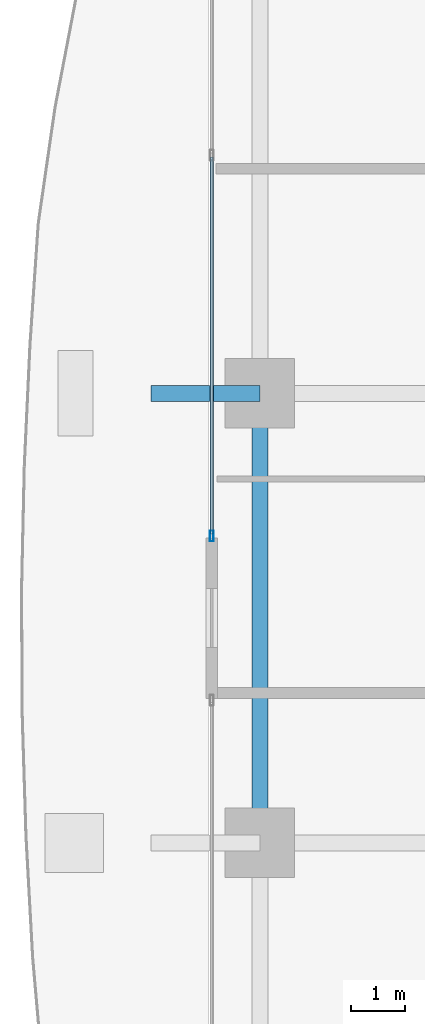
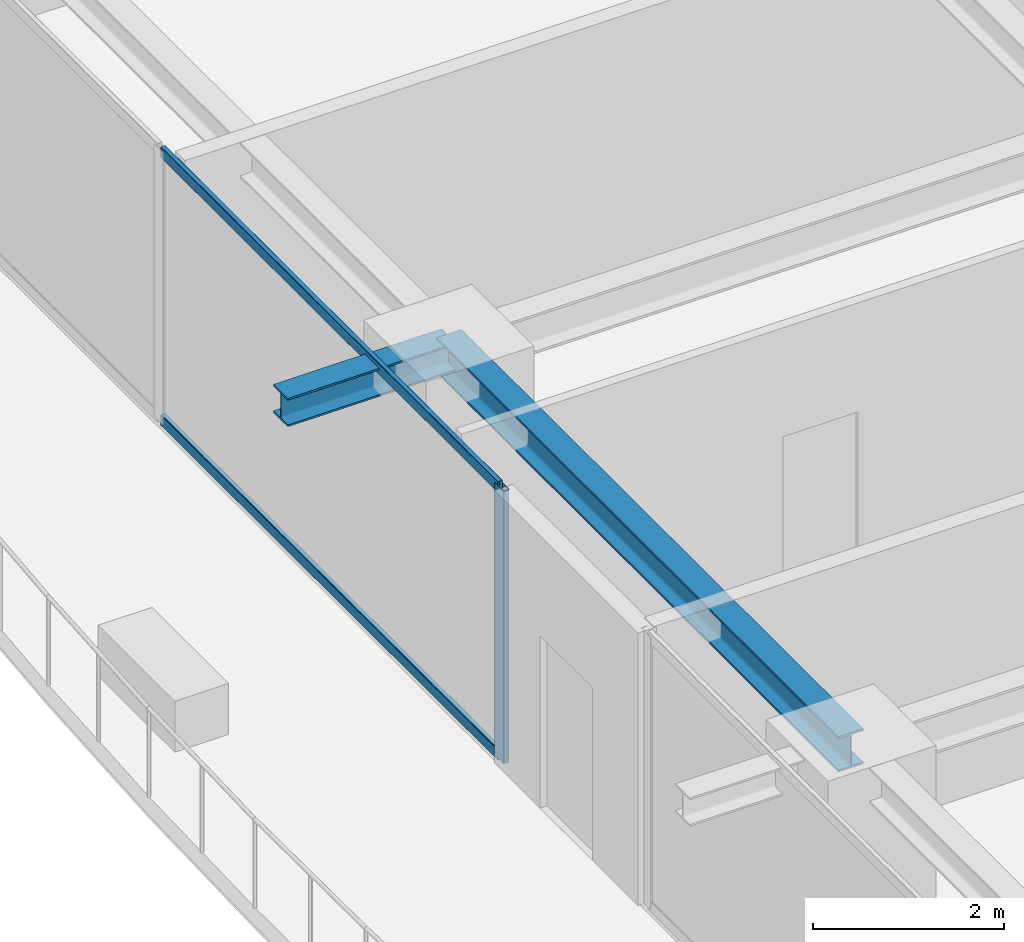
# One storey, part 9 of 34: 3 members, 2 beams, 1 element without a shape of its own.
"""IFC4 building model written with IfcOpenShell, lengths in metres."""

from ifc_helpers import new_model, si_unit, direction, frame, origin, origin_2d, place, context, subcontext, project, spatial, hollow_rectangle, i_section, extrude, source, transform, mapped, material, layer, layer_set, material_profile, profile_set, type_object, element, aggregate, save


model = new_model("IFC4")

# Units and contexts
model_context = context("Model", 3, precision=1e-05, world=origin(), true_north=direction((0.0, 1.0)))
body_context = subcontext(model_context, "Body", "Model", "MODEL_VIEW")
ifc_project = project(units=[si_unit("LENGTHUNIT", "METRE"), si_unit("AREAUNIT", "SQUARE_METRE"), si_unit("VOLUMEUNIT", "CUBIC_METRE"), si_unit("PLANEANGLEUNIT", "RADIAN"), si_unit("MASSUNIT", "GRAM", prefix="KILO")], contexts=[model_context])

# Site, building, storey
site_placement = place(None, origin())
site = spatial("IfcSite", under=ifc_project, at=site_placement, CompositionType="ELEMENT")
building_placement = place(site_placement, origin())
building = spatial("IfcBuilding", under=site, at=building_placement, Name="Serunith Strait Residences", CompositionType="ELEMENT")
storey_placement = place(building_placement, frame((0.0, 0.0, 142.64990234375)))
storey = spatial("IfcBuildingStorey", under=building, at=storey_placement, Name="L35", CompositionType="ELEMENT", Elevation=142.64990234375)

# Beams
ifc_material_1 = material(Name="Steel S355J2", Category="steel")
ifc_material_profile_1 = material_profile(ifc_material_1, i_section(OverallWidth=0.300048828125, OverallDepth=0.449951171875, WebThickness=0.013916015625, FlangeThickness=0.02587890625, FilletRadius=0.027099609375, at=origin_2d()), Name="HEB 450")
ifc_profile_set_1 = profile_set([ifc_material_profile_1], Name="Steel S355J2")
beam_type_1 = type_object("IfcBeamType", Name="BM-HEB450", PredefinedType="BEAM", material=ifc_profile_set_1)
shared_shape_1 = source(origin(), body_context, "Body", "SweptSolid", [
    extrude(i_section(OverallWidth=0.300048828125, OverallDepth=0.449951171875, WebThickness=0.013916015625, FlangeThickness=0.02587890625, FilletRadius=0.027099609375, at=origin_2d()), origin(), (0.0, 0.0, 1.0), 8.39990234375),
])
beam_1_placement = place(storey_placement, frame((8.699951171875, 29.39990234375, 3.26220703125), z_axis=(0.0, -1.0, 0.0), x_axis=(1.0, 0.0, 0.0)))
element("IfcBeam", 1, at=beam_1_placement, inside=storey, type_object=beam_type_1, Name="L35 Perimeter Ring Beam 14", PredefinedType="BEAM", context=body_context, shape_type="MappedRepresentation", body=[
    mapped(shared_shape_1, transform((0.0, 0.0, 0.0), scale=1.0)),
])
ifc_material_profile_2 = material_profile(ifc_material_1, i_section(OverallWidth=0.300048828125, OverallDepth=0.360107421875, WebThickness=0.012451171875, FlangeThickness=0.0224609375, FilletRadius=0.027099609375, at=origin_2d()), Name="HEB 360")
ifc_profile_set_2 = profile_set([ifc_material_profile_2], Name="Steel S355J2")
beam_type_2 = type_object("IfcBeamType", Name="BM-HEB360", PredefinedType="BEAM", material=ifc_profile_set_2)
shared_shape_2 = source(origin(), body_context, "Body", "SweptSolid", [
    extrude(i_section(OverallWidth=0.300048828125, OverallDepth=0.360107421875, WebThickness=0.012451171875, FlangeThickness=0.0224609375, FilletRadius=0.027099609375, at=origin_2d()), origin(), (0.0, 0.0, 1.0), 2.030029296875),
])
beam_2_placement = place(storey_placement, frame((8.699951171875, 29.39990234375, 3.277099609375), z_axis=(-1.0, 0.0, 0.0), x_axis=(0.0, -1.0, 0.0)))
element("IfcBeam", 2, at=beam_2_placement, inside=storey, type_object=beam_type_2, Name="L36 Cantilevered Balcony Rib TC-W3", PredefinedType="BEAM", context=body_context, shape_type="MappedRepresentation", body=[
    mapped(shared_shape_2, transform((0.0, 0.0, 0.0), scale=1.0)),
])

# Curtain wall, members
ifc_material_2 = material(Name="Pale-Champagne Anodised Aluminium", Category="aluminium")
ifc_layer = layer(ifc_material_2, 0.199951171875, Name="Pale-Champagne Anodised Aluminium")
ifc_layer_set = layer_set([ifc_layer], Name="Pale-Champagne Anodised Aluminium")
curtain_wall_type = type_object("IfcCurtainWallType", Name="CW-SYS2", PredefinedType="NOTDEFINED", material=ifc_layer_set)
curtain_wall_placement = place(storey_placement, origin())
curtain_wall = element("IfcCurtainWall", 3, at=curtain_wall_placement, inside=storey, type_object=curtain_wall_type, Name="L35 W Unitised Fritted Curtain Wall", PredefinedType="NOTDEFINED")
ifc_material_profile_3 = material_profile(ifc_material_2, hollow_rectangle(XDim=0.070068359375, YDim=0.199951171875, WallThickness=0.00390625, InnerFilletRadius=0.006103515625, OuterFilletRadius=0.010009765625, at=origin_2d()), Name="ALU 200x70x4")
ifc_profile_set_3 = profile_set([ifc_material_profile_3], Name="Pale-Champagne Anodised Aluminium")
member_type_1 = type_object("IfcMemberType", Name="CW-SYS2-MULL", PredefinedType="MULLION", material=ifc_profile_set_3)
shared_shape_3 = source(origin(), body_context, "Body", "SweptSolid", [
    extrude(hollow_rectangle(XDim=0.070068359375, YDim=0.199951171875, WallThickness=0.00390625, InnerFilletRadius=0.006103515625, OuterFilletRadius=0.010009765625, at=origin_2d()), origin(), (0.0, 0.0, 1.0), 3.47509765625),
])
member_1_placement = place(storey_placement, frame((7.800048828125, 26.735107421875, 0.0), z_axis=(0.0, 0.0, 1.0), x_axis=(1.0, 0.0, 0.0)))
member_1 = element("IfcMember", 4, at=member_1_placement, type_object=member_type_1, Name="CW-2 mullion 3", PredefinedType="MULLION", context=body_context, shape_type="MappedRepresentation", body=[
    mapped(shared_shape_3, transform((0.0, 0.0, 0.0), scale=1.0)),
])
ifc_material_profile_4 = material_profile(ifc_material_2, hollow_rectangle(XDim=0.06005859375, YDim=0.139892578125, WallThickness=0.00341796875, InnerFilletRadius=0.00537109375, OuterFilletRadius=0.0087890625, at=origin_2d()), Name="ALU 140x60x3.5")
ifc_profile_set_4 = profile_set([ifc_material_profile_4], Name="Pale-Champagne Anodised Aluminium")
member_type_2 = type_object("IfcMemberType", Name="CW-SYS2-TRAN", PredefinedType="USERDEFINED", material=ifc_profile_set_4)
shared_shape_4 = source(origin(), body_context, "Body", "SweptSolid", [
    extrude(hollow_rectangle(XDim=0.06005859375, YDim=0.139892578125, WallThickness=0.00341796875, InnerFilletRadius=0.00537109375, OuterFilletRadius=0.0087890625, at=origin_2d()), origin(), (0.0, 0.0, 1.0), 7.044921875),
])
member_2_placement = place(storey_placement, frame((7.800048828125, 33.81494140625, 0.030029296875), z_axis=(0.0, -1.0, 0.0), x_axis=(1.0, 0.0, 0.0)))
member_2 = element("IfcMember", 5, at=member_2_placement, type_object=member_type_2, Name="CW-2 transom 2.1", ObjectType="TRANSOM", PredefinedType="USERDEFINED", context=body_context, shape_type="MappedRepresentation", body=[
    mapped(shared_shape_4, transform((0.0, 0.0, 0.0), scale=1.0)),
])
member_3_placement = place(storey_placement, frame((7.800048828125, 33.81494140625, 3.445068359375), z_axis=(0.0, -1.0, 0.0), x_axis=(1.0, 0.0, 0.0)))
member_3 = element("IfcMember", 6, at=member_3_placement, type_object=member_type_2, Name="CW-2 transom 2.2", ObjectType="TRANSOM", PredefinedType="USERDEFINED", context=body_context, shape_type="MappedRepresentation", body=[
    mapped(shared_shape_4, transform((0.0, 0.0, 0.0), scale=1.0)),
])
aggregate(curtain_wall, [member_1, member_2, member_3])

save(model, "model.ifc")
